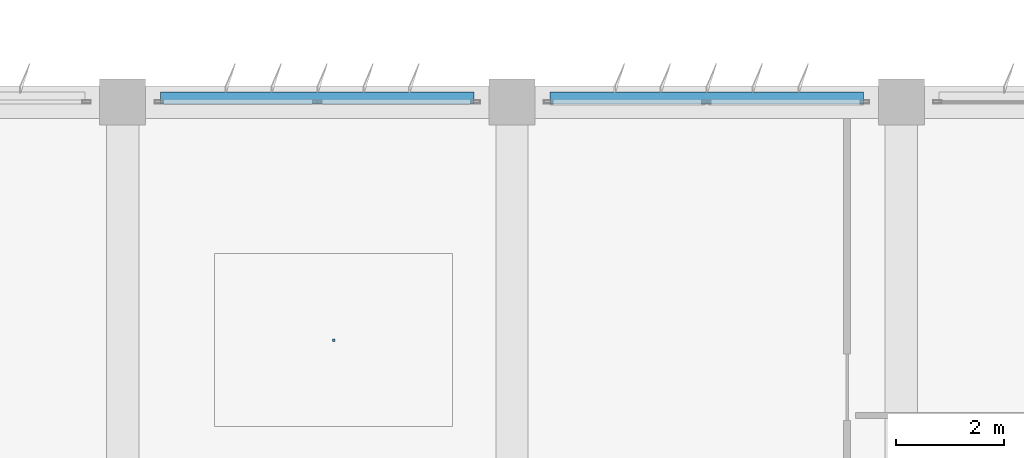
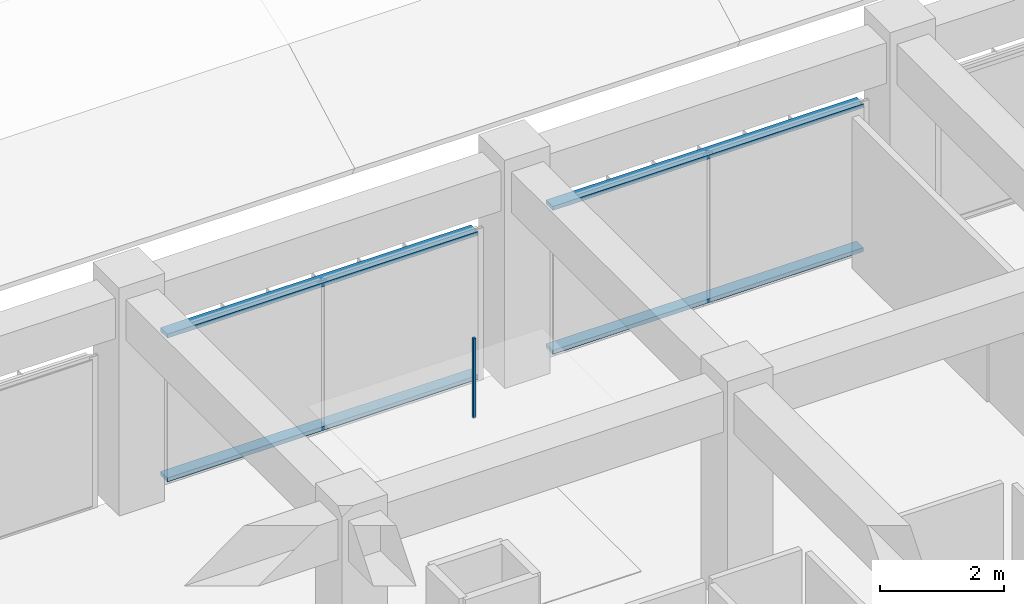
# One storey, part 44 of 56: 5 discrete accessories.
"""IFC4 building model written with IfcOpenShell, lengths in metres."""

from ifc_helpers import new_model, si_unit, direction, frame, origin, origin_2d, place, context, subcontext, project, spatial, rectangle, extrude, material, type_object, element, save


model = new_model("IFC4")

# Units and contexts
model_context = context("Model", 3, precision=1e-05, world=origin(), true_north=direction((0.0, 1.0)))
body_context = subcontext(model_context, "Body", "Model", "MODEL_VIEW")
ifc_project = project(units=[si_unit("LENGTHUNIT", "METRE"), si_unit("AREAUNIT", "SQUARE_METRE"), si_unit("VOLUMEUNIT", "CUBIC_METRE"), si_unit("PLANEANGLEUNIT", "RADIAN"), si_unit("MASSUNIT", "GRAM", prefix="KILO")], contexts=[model_context])

# Site, building, storey
site_placement = place(None, origin())
site = spatial("IfcSite", under=ifc_project, at=site_placement, CompositionType="ELEMENT")
building_placement = place(site_placement, origin())
building = spatial("IfcBuilding", under=site, at=building_placement, Name="Kazehaya Institute of Natural Sciences", CompositionType="ELEMENT")
storey_placement = place(building_placement, frame((0.0, 0.0, 24.300048828125)))
storey = spatial("IfcBuildingStorey", under=building, at=storey_placement, Name="L05", CompositionType="ELEMENT", Elevation=24.300048828125)

# Discrete accessories
ifc_material_1 = material(Name="Aluminium alloy A6063S-T5", Category="aluminium")
discrete_accessory_type_1 = type_object("IfcDiscreteAccessoryType", Name="ACC-BRK-01", PredefinedType="BRACKET", material=ifc_material_1)
for number, where, z_axis, x_axis, name in (
    (1, (87.0, 35.675048828125, 0.039794921875), (0.0, 0.0, 1.0), (1.0, 0.0, 0.0), "L05 fin support outrigger rail 1"),
    (2, (87.0, 35.675048828125, 2.8798828125), (0.0, 0.0, 1.0), (1.0, 0.0, 0.0), "L05 fin support outrigger rail 2"),
    (3, (94.199951171875, 35.675048828125, 0.039794921875), (0.0, 0.0, 1.0), (1.0, 0.0, 0.0), "L05 fin support outrigger rail 1"),
    (4, (94.199951171875, 35.675048828125, 2.8798828125), (0.0, 0.0, 1.0), (1.0, 0.0, 0.0), "L05 fin support outrigger rail 2"),
):
    element("IfcDiscreteAccessory", number, at=place(storey_placement, frame(where, z_axis=z_axis, x_axis=x_axis)), inside=storey, type_object=discrete_accessory_type_1, Name=name, PredefinedType="BRACKET", context=body_context, shape_type="SweptSolid", body=[
        extrude(rectangle(XDim=5.800048828125, YDim=0.219970703125, at=origin_2d()), origin(), (0.0, 0.0, 1.0), 0.080078125),
    ])
ifc_material_2 = material(Name="Structural steel SN490B", Category="steel")
discrete_accessory_type_2 = type_object("IfcDiscreteAccessoryType", Name="ACC-CLG-HGR", PredefinedType="BRACKET", material=ifc_material_2)
discrete_accessory_placement = place(storey_placement, frame((87.302001953125, 31.19580078125, 2.8525390625), z_axis=(0.0, 0.0, 1.0), x_axis=(1.0, 0.0, 0.0)))
element("IfcDiscreteAccessory", 5, at=discrete_accessory_placement, inside=storey, type_object=discrete_accessory_type_2, Name="L05 ceiling suspension hanger 51", PredefinedType="BRACKET", context=body_context, shape_type="SweptSolid", body=[
    extrude(rectangle(XDim=0.050048828125, YDim=0.050048828125, at=origin_2d()), origin(), (0.0, 0.0, 1.0), 1.5673828125),
])

save(model, "model.ifc")
